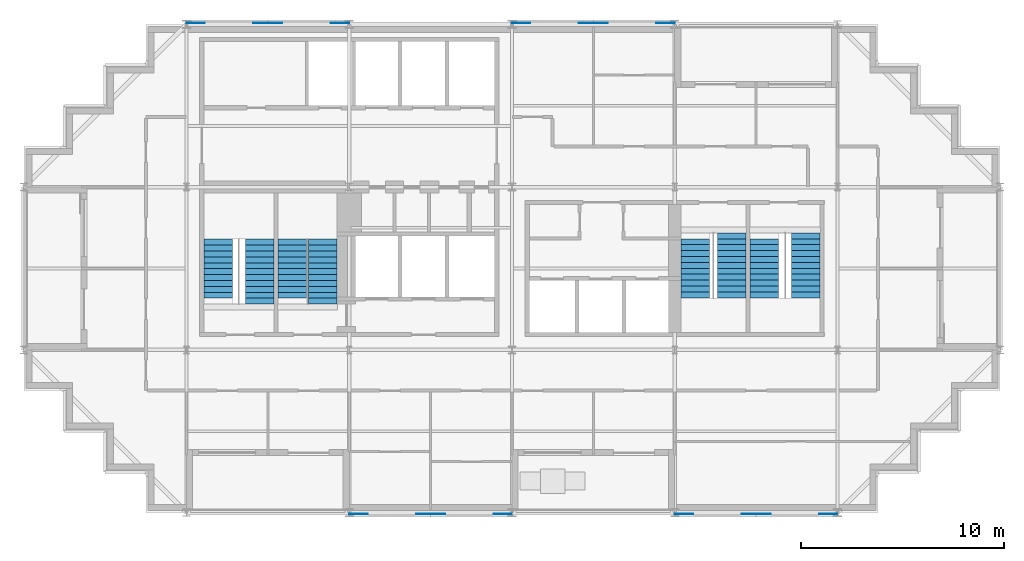
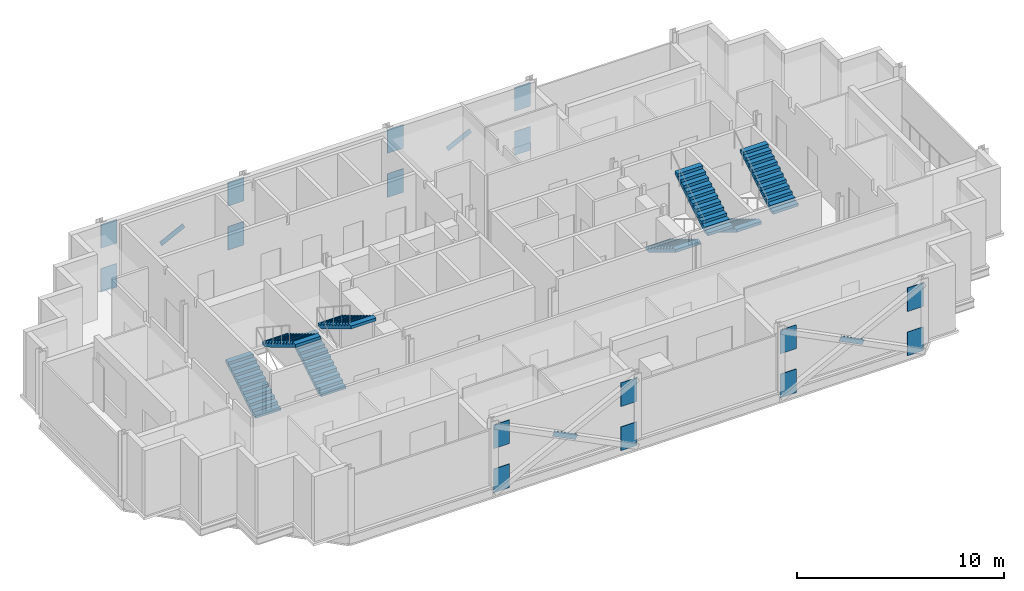
# One storey, part 8 of 10: 20 discrete accessories, 8 stair flights, 4 elements without a shape of their own.
"""IFC4 building model written with IfcOpenShell, lengths in metres."""

from ifc_helpers import new_model, si_unit, direction, frame, origin, origin_2d, place, context, subcontext, project, spatial, polyline, rectangle, outline, extrude, material, material_profile, profile_set, type_object, element, aggregate, save


model = new_model("IFC4")

# Units and contexts
model_context = context("Model", 3, precision=1e-05, world=origin(), true_north=direction((0.0, 1.0)))
body_context = subcontext(model_context, "Body", "Model", "MODEL_VIEW")
ifc_project = project(units=[si_unit("LENGTHUNIT", "METRE"), si_unit("AREAUNIT", "SQUARE_METRE"), si_unit("VOLUMEUNIT", "CUBIC_METRE"), si_unit("PLANEANGLEUNIT", "RADIAN"), si_unit("MASSUNIT", "GRAM", prefix="KILO")], contexts=[model_context])

# Site, building, storey
site_placement = place(None, origin())
site = spatial("IfcSite", under=ifc_project, at=site_placement, CompositionType="ELEMENT")
building_placement = place(site_placement, origin())
building = spatial("IfcBuilding", under=site, at=building_placement, Name="Immortelle Media Tower", CompositionType="ELEMENT")
storey_placement = place(building_placement, frame((0.0, 0.0, 275.0)))
storey = spatial("IfcBuildingStorey", under=building, at=storey_placement, Name="L60", CompositionType="ELEMENT", Elevation=275.0)

# Stair, stair flights
ifc_material_1 = material(Name="Steel ASTM A992 Gr 50", Category="steel")
stair_type = type_object("IfcStairType", Name="Stair with flights", PredefinedType="DOUBLE_RETURN_STAIR", material=ifc_material_1)
stair_1_placement = place(storey_placement, origin())
stair_1 = element("IfcStair", 1, at=stair_1_placement, inside=storey, type_object=stair_type, Name="Exit stair SW1", PredefinedType="DOUBLE_RETURN_STAIR")
stair_flight_type = type_object("IfcStairFlightType", Name="Stair flight 1400", PredefinedType="STRAIGHT", material=ifc_material_1)
stair_flight_1_placement = place(storey_placement, frame((9.550048828125, 10.5400390625, 0.0), z_axis=(0.0, 0.0, 1.0), x_axis=(0.0, 1.0, 0.0)))
stair_flight_1 = element("IfcStairFlight", 2, at=stair_flight_1_placement, type_object=stair_flight_type, Name="ST SW1 flight 1", NumberOfRisers=11, NumberOfTreads=10, PredefinedType="STRAIGHT", RiserHeight=0.173913043, TreadLength=0.29, context=body_context, shape_type="SweptSolid", body=[
    extrude(outline(polyline([(0.0, 0.0), (0.0, 0.173828125), (0.2900390625, 0.173828125), (0.2900390625, 0.347900390625), (0.580078125, 0.347900390625), (0.580078125, 0.521728515625), (0.8701171875, 0.521728515625), (0.8701171875, 0.695556640625), (1.159912109375, 0.695556640625), (1.159912109375, 0.86962890625), (1.449951171875, 0.86962890625), (1.449951171875, 1.04345703125), (1.739990234375, 1.04345703125), (1.739990234375, 1.21728515625), (2.030029296875, 1.21728515625), (2.030029296875, 1.391357421875), (2.320068359375, 1.391357421875), (2.320068359375, 1.565185546875), (2.610107421875, 1.565185546875), (2.610107421875, 1.739013671875), (2.89990234375, 1.739013671875), (2.89990234375, 1.9130859375), (2.89990234375, 1.564453125), (0.29150390625, 0.0), (0.0, 0.0)])), frame((0.0, 0.699951171875, 0.0), z_axis=(0.0, -1.0, 0.0), x_axis=(1.0, 0.0, 0.0)), (0.0, 0.0, 1.0), 1.39990234375),
])
stair_flight_2_placement = place(storey_placement, frame((11.60009765625, 13.43994140625, 1.9130859375), z_axis=(0.0, 0.0, 1.0), x_axis=(0.0, -1.0, 0.0)))
stair_flight_2 = element("IfcStairFlight", 3, at=stair_flight_2_placement, type_object=stair_flight_type, Name="ST SW1 flight 2", NumberOfRisers=12, NumberOfTreads=11, PredefinedType="STRAIGHT", RiserHeight=0.173913043, TreadLength=0.29, context=body_context, shape_type="SweptSolid", body=[
    extrude(outline(polyline([(0.0, 0.0), (0.0, 0.173828125), (0.2900390625, 0.173828125), (0.2900390625, 0.347900390625), (0.580078125, 0.347900390625), (0.580078125, 0.521728515625), (0.8701171875, 0.521728515625), (0.8701171875, 0.695556640625), (1.159912109375, 0.695556640625), (1.159912109375, 0.86962890625), (1.449951171875, 0.86962890625), (1.449951171875, 1.04345703125), (1.739990234375, 1.04345703125), (1.739990234375, 1.21728515625), (2.030029296875, 1.21728515625), (2.030029296875, 1.391357421875), (2.320068359375, 1.391357421875), (2.320068359375, 1.565185546875), (2.610107421875, 1.565185546875), (2.610107421875, 1.739013671875), (2.89990234375, 1.739013671875), (2.89990234375, 1.9130859375), (3.18994140625, 1.9130859375), (3.18994140625, 2.0869140625), (3.18994140625, 1.73828125), (0.29150390625, 0.0), (0.0, 0.0)])), frame((0.0, 0.699951171875, 0.0), z_axis=(0.0, -1.0, 0.0), x_axis=(1.0, 0.0, 0.0)), (0.0, 0.0, 1.0), 1.39990234375),
])
aggregate(stair_1, [stair_flight_1, stair_flight_2])

stair_2_placement = place(storey_placement, origin())
stair_2 = element("IfcStair", 4, at=stair_2_placement, inside=storey, type_object=stair_type, Name="Exit stair SW2", PredefinedType="DOUBLE_RETURN_STAIR")
stair_flight_3_placement = place(storey_placement, frame((13.199951171875, 10.5400390625, 0.0), z_axis=(0.0, 0.0, 1.0), x_axis=(0.0, 1.0, 0.0)))
stair_flight_3 = element("IfcStairFlight", 5, at=stair_flight_3_placement, type_object=stair_flight_type, Name="ST SW2 flight 1", NumberOfRisers=11, NumberOfTreads=10, PredefinedType="STRAIGHT", RiserHeight=0.173913043, TreadLength=0.29, context=body_context, shape_type="SweptSolid", body=[
    extrude(outline(polyline([(0.0, 0.0), (0.0, 0.173828125), (0.2900390625, 0.173828125), (0.2900390625, 0.347900390625), (0.580078125, 0.347900390625), (0.580078125, 0.521728515625), (0.8701171875, 0.521728515625), (0.8701171875, 0.695556640625), (1.159912109375, 0.695556640625), (1.159912109375, 0.86962890625), (1.449951171875, 0.86962890625), (1.449951171875, 1.04345703125), (1.739990234375, 1.04345703125), (1.739990234375, 1.21728515625), (2.030029296875, 1.21728515625), (2.030029296875, 1.391357421875), (2.320068359375, 1.391357421875), (2.320068359375, 1.565185546875), (2.610107421875, 1.565185546875), (2.610107421875, 1.739013671875), (2.89990234375, 1.739013671875), (2.89990234375, 1.9130859375), (2.89990234375, 1.564453125), (0.29150390625, 0.0), (0.0, 0.0)])), frame((0.0, 0.699951171875, 0.0), z_axis=(0.0, -1.0, 0.0), x_axis=(1.0, 0.0, 0.0)), (0.0, 0.0, 1.0), 1.39990234375),
])
stair_flight_4_placement = place(storey_placement, frame((14.699951171875, 13.43994140625, 1.9130859375), z_axis=(0.0, 0.0, 1.0), x_axis=(0.0, -1.0, 0.0)))
stair_flight_4 = element("IfcStairFlight", 6, at=stair_flight_4_placement, type_object=stair_flight_type, Name="ST SW2 flight 2", NumberOfRisers=12, NumberOfTreads=11, PredefinedType="STRAIGHT", RiserHeight=0.173913043, TreadLength=0.29, context=body_context, shape_type="SweptSolid", body=[
    extrude(outline(polyline([(0.0, 0.0), (0.0, 0.173828125), (0.2900390625, 0.173828125), (0.2900390625, 0.347900390625), (0.580078125, 0.347900390625), (0.580078125, 0.521728515625), (0.8701171875, 0.521728515625), (0.8701171875, 0.695556640625), (1.159912109375, 0.695556640625), (1.159912109375, 0.86962890625), (1.449951171875, 0.86962890625), (1.449951171875, 1.04345703125), (1.739990234375, 1.04345703125), (1.739990234375, 1.21728515625), (2.030029296875, 1.21728515625), (2.030029296875, 1.391357421875), (2.320068359375, 1.391357421875), (2.320068359375, 1.565185546875), (2.610107421875, 1.565185546875), (2.610107421875, 1.739013671875), (2.89990234375, 1.739013671875), (2.89990234375, 1.9130859375), (3.18994140625, 1.9130859375), (3.18994140625, 2.0869140625), (3.18994140625, 1.73828125), (0.29150390625, 0.0), (0.0, 0.0)])), frame((0.0, 0.699951171875, 0.0), z_axis=(0.0, -1.0, 0.0), x_axis=(1.0, 0.0, 0.0)), (0.0, 0.0, 1.0), 1.39990234375),
])
aggregate(stair_2, [stair_flight_3, stair_flight_4])

stair_3_placement = place(storey_placement, origin())
stair_3 = element("IfcStair", 7, at=stair_3_placement, inside=storey, type_object=stair_type, Name="Exit stair SE1", PredefinedType="DOUBLE_RETURN_STAIR")
stair_flight_5_placement = place(storey_placement, frame((33.0, 13.4599609375, 0.0), z_axis=(0.0, 0.0, 1.0), x_axis=(0.0, -1.0, 0.0)))
stair_flight_5 = element("IfcStairFlight", 8, at=stair_flight_5_placement, type_object=stair_flight_type, Name="ST SE1 flight 1", NumberOfRisers=11, NumberOfTreads=10, PredefinedType="STRAIGHT", RiserHeight=0.173913043, TreadLength=0.29, context=body_context, shape_type="SweptSolid", body=[
    extrude(outline(polyline([(0.0, 0.0), (0.0, 0.173828125), (0.2900390625, 0.173828125), (0.2900390625, 0.347900390625), (0.580078125, 0.347900390625), (0.580078125, 0.521728515625), (0.8701171875, 0.521728515625), (0.8701171875, 0.695556640625), (1.159912109375, 0.695556640625), (1.159912109375, 0.86962890625), (1.449951171875, 0.86962890625), (1.449951171875, 1.04345703125), (1.739990234375, 1.04345703125), (1.739990234375, 1.21728515625), (2.030029296875, 1.21728515625), (2.030029296875, 1.391357421875), (2.320068359375, 1.391357421875), (2.320068359375, 1.565185546875), (2.610107421875, 1.565185546875), (2.610107421875, 1.739013671875), (2.89990234375, 1.739013671875), (2.89990234375, 1.9130859375), (2.89990234375, 1.564453125), (0.29150390625, 0.0), (0.0, 0.0)])), frame((0.0, 0.699951171875, 0.0), z_axis=(0.0, -1.0, 0.0), x_axis=(1.0, 0.0, 0.0)), (0.0, 0.0, 1.0), 1.39990234375),
])
stair_flight_6_placement = place(storey_placement, frame((34.800048828125, 10.56005859375, 1.9130859375), z_axis=(0.0, 0.0, 1.0), x_axis=(0.0, 1.0, 0.0)))
stair_flight_6 = element("IfcStairFlight", 9, at=stair_flight_6_placement, type_object=stair_flight_type, Name="ST SE1 flight 2", NumberOfRisers=12, NumberOfTreads=11, PredefinedType="STRAIGHT", RiserHeight=0.173913043, TreadLength=0.29, context=body_context, shape_type="SweptSolid", body=[
    extrude(outline(polyline([(0.0, 0.0), (0.0, 0.173828125), (0.2900390625, 0.173828125), (0.2900390625, 0.347900390625), (0.580078125, 0.347900390625), (0.580078125, 0.521728515625), (0.8701171875, 0.521728515625), (0.8701171875, 0.695556640625), (1.159912109375, 0.695556640625), (1.159912109375, 0.86962890625), (1.449951171875, 0.86962890625), (1.449951171875, 1.04345703125), (1.739990234375, 1.04345703125), (1.739990234375, 1.21728515625), (2.030029296875, 1.21728515625), (2.030029296875, 1.391357421875), (2.320068359375, 1.391357421875), (2.320068359375, 1.565185546875), (2.610107421875, 1.565185546875), (2.610107421875, 1.739013671875), (2.89990234375, 1.739013671875), (2.89990234375, 1.9130859375), (3.18994140625, 1.9130859375), (3.18994140625, 2.0869140625), (3.18994140625, 1.73828125), (0.29150390625, 0.0), (0.0, 0.0)])), frame((0.0, 0.699951171875, 0.0), z_axis=(0.0, -1.0, 0.0), x_axis=(1.0, 0.0, 0.0)), (0.0, 0.0, 1.0), 1.39990234375),
])
aggregate(stair_3, [stair_flight_5, stair_flight_6])

stair_4_placement = place(storey_placement, origin())
stair_4 = element("IfcStair", 10, at=stair_4_placement, inside=storey, type_object=stair_type, Name="Exit stair SE2", PredefinedType="DOUBLE_RETURN_STAIR")
stair_flight_7_placement = place(storey_placement, frame((36.39990234375, 13.4599609375, 0.0), z_axis=(0.0, 0.0, 1.0), x_axis=(0.0, -1.0, 0.0)))
stair_flight_7 = element("IfcStairFlight", 11, at=stair_flight_7_placement, type_object=stair_flight_type, Name="ST SE2 flight 1", NumberOfRisers=11, NumberOfTreads=10, PredefinedType="STRAIGHT", RiserHeight=0.173913043, TreadLength=0.29, context=body_context, shape_type="SweptSolid", body=[
    extrude(outline(polyline([(0.0, 0.0), (0.0, 0.173828125), (0.2900390625, 0.173828125), (0.2900390625, 0.347900390625), (0.580078125, 0.347900390625), (0.580078125, 0.521728515625), (0.8701171875, 0.521728515625), (0.8701171875, 0.695556640625), (1.159912109375, 0.695556640625), (1.159912109375, 0.86962890625), (1.449951171875, 0.86962890625), (1.449951171875, 1.04345703125), (1.739990234375, 1.04345703125), (1.739990234375, 1.21728515625), (2.030029296875, 1.21728515625), (2.030029296875, 1.391357421875), (2.320068359375, 1.391357421875), (2.320068359375, 1.565185546875), (2.610107421875, 1.565185546875), (2.610107421875, 1.739013671875), (2.89990234375, 1.739013671875), (2.89990234375, 1.9130859375), (2.89990234375, 1.564453125), (0.29150390625, 0.0), (0.0, 0.0)])), frame((0.0, 0.699951171875, 0.0), z_axis=(0.0, -1.0, 0.0), x_axis=(1.0, 0.0, 0.0)), (0.0, 0.0, 1.0), 1.39990234375),
])
stair_flight_8_placement = place(storey_placement, frame((38.449951171875, 10.56005859375, 1.9130859375), z_axis=(0.0, 0.0, 1.0), x_axis=(0.0, 1.0, 0.0)))
stair_flight_8 = element("IfcStairFlight", 12, at=stair_flight_8_placement, type_object=stair_flight_type, Name="ST SE2 flight 2", NumberOfRisers=12, NumberOfTreads=11, PredefinedType="STRAIGHT", RiserHeight=0.173913043, TreadLength=0.29, context=body_context, shape_type="SweptSolid", body=[
    extrude(outline(polyline([(0.0, 0.0), (0.0, 0.173828125), (0.2900390625, 0.173828125), (0.2900390625, 0.347900390625), (0.580078125, 0.347900390625), (0.580078125, 0.521728515625), (0.8701171875, 0.521728515625), (0.8701171875, 0.695556640625), (1.159912109375, 0.695556640625), (1.159912109375, 0.86962890625), (1.449951171875, 0.86962890625), (1.449951171875, 1.04345703125), (1.739990234375, 1.04345703125), (1.739990234375, 1.21728515625), (2.030029296875, 1.21728515625), (2.030029296875, 1.391357421875), (2.320068359375, 1.391357421875), (2.320068359375, 1.565185546875), (2.610107421875, 1.565185546875), (2.610107421875, 1.739013671875), (2.89990234375, 1.739013671875), (2.89990234375, 1.9130859375), (3.18994140625, 1.9130859375), (3.18994140625, 2.0869140625), (3.18994140625, 1.73828125), (0.29150390625, 0.0), (0.0, 0.0)])), frame((0.0, 0.699951171875, 0.0), z_axis=(0.0, -1.0, 0.0), x_axis=(1.0, 0.0, 0.0)), (0.0, 0.0, 1.0), 1.39990234375),
])
aggregate(stair_4, [stair_flight_7, stair_flight_8])

# Discrete accessories
ifc_material_2 = material(Name="Steel ASTM A572 Gr 50", Category="steel")
ifc_material_profile_1 = material_profile(ifc_material_2, rectangle(XDim=0.02001953125, YDim=0.304931640625, at=origin_2d()), Name="PL 20 x 305")
ifc_profile_set_1 = profile_set([ifc_material_profile_1], Name="Steel ASTM A572 Gr 50")
discrete_accessory_type_1 = type_object("IfcDiscreteAccessoryType", Name="Crossing plate XP-BR7 1450 x 305 x 20", PredefinedType="USERDEFINED", material=ifc_profile_set_1)
for number, where, z_axis, x_axis, name in (
    (13, (28.6484375, 24.0625, 1.873291015625), (-0.894427191, 0.0, -0.4472135955), (0.0, -1.0, 0.0), "Crossing plate XP-BR7 of Brace D/4-5 A and Brace D/4-5 B"),
    (14, (12.6484375, 24.0625, 1.873291015625), (-0.894427191, 0.0, -0.4472135955), (0.0, -1.0, 0.0), "Crossing plate XP-BR7 of Brace D/2-3 A and Brace D/2-3 B"),
    (15, (19.3515625, -0.0625, 1.873291015625), (0.894427191, 0.0, -0.4472135955), (0.0, 1.0, 0.0), "Crossing plate XP-BR7 of Brace A/3-4 A and Brace A/3-4 B"),
    (16, (35.3515625, -0.0625, 1.873291015625), (0.894427191, 0.0, -0.4472135955), (0.0, 1.0, 0.0), "Crossing plate XP-BR7 of Brace A/5-6 A and Brace A/5-6 B"),
):
    element("IfcDiscreteAccessory", number, at=place(storey_placement, frame(where, z_axis=z_axis, x_axis=x_axis)), inside=storey, type_object=discrete_accessory_type_1, Name=name, ObjectType="CROSSING PLATE", PredefinedType="USERDEFINED", context=body_context, shape_type="SweptSolid", body=[
        extrude(rectangle(XDim=0.02001953125, YDim=0.304931640625, at=origin_2d()), origin(), (0.0, 0.0, 1.0), 1.449951171875),
    ])
ifc_material_profile_2 = material_profile(ifc_material_2, rectangle(XDim=0.031982421875, YDim=1.39990234375, at=origin_2d()), Name="PL 32 x 1400")
ifc_profile_set_2 = profile_set([ifc_material_profile_2], Name="Steel ASTM A572 Gr 50")
discrete_accessory_type_2 = type_object("IfcDiscreteAccessoryType", Name="Gusset plate GP1 900 x 1400 x 32", PredefinedType="USERDEFINED", material=ifc_profile_set_2)
for number, where, z_axis, x_axis, name in (
    (17, (16.0, -0.0625, 0.2490234375), (1.0, 0.0, 0.0), (0.0, 1.0, 0.0), "Gusset plate GP1, lower end of Brace A/3-4 A"),
    (18, (24.0, -0.0625, 2.84912109375), (-1.0, 0.0, 0.0), (0.0, -1.0, 0.0), "Gusset plate GP1, upper end of Brace A/3-4 A"),
    (19, (24.0, -0.0625, 0.2490234375), (-1.0, 0.0, 0.0), (0.0, -1.0, 0.0), "Gusset plate GP1, lower end of Brace A/3-4 B"),
    (20, (16.0, -0.0625, 2.84912109375), (1.0, 0.0, 0.0), (0.0, 1.0, 0.0), "Gusset plate GP1, upper end of Brace A/3-4 B"),
    (21, (32.0, -0.0625, 0.2490234375), (1.0, 0.0, 0.0), (0.0, 1.0, 0.0), "Gusset plate GP1, lower end of Brace A/5-6 A"),
    (22, (40.0, -0.0625, 2.84912109375), (-1.0, 0.0, 0.0), (0.0, -1.0, 0.0), "Gusset plate GP1, upper end of Brace A/5-6 A"),
    (23, (40.0, -0.0625, 0.2490234375), (-1.0, 0.0, 0.0), (0.0, -1.0, 0.0), "Gusset plate GP1, lower end of Brace A/5-6 B"),
    (24, (32.0, -0.0625, 2.84912109375), (1.0, 0.0, 0.0), (0.0, 1.0, 0.0), "Gusset plate GP1, upper end of Brace A/5-6 B"),
    (25, (32.0, 24.0625, 0.2490234375), (-1.0, 0.0, 0.0), (0.0, -1.0, 0.0), "Gusset plate GP1, lower end of Brace D/4-5 A"),
    (26, (24.0, 24.0625, 2.84912109375), (1.0, 0.0, 0.0), (0.0, 1.0, 0.0), "Gusset plate GP1, upper end of Brace D/4-5 A"),
    (27, (24.0, 24.0625, 0.2490234375), (1.0, 0.0, 0.0), (0.0, 1.0, 0.0), "Gusset plate GP1, lower end of Brace D/4-5 B"),
    (28, (32.0, 24.0625, 2.84912109375), (-1.0, 0.0, 0.0), (0.0, -1.0, 0.0), "Gusset plate GP1, upper end of Brace D/4-5 B"),
    (29, (16.0, 24.0625, 0.2490234375), (-1.0, 0.0, 0.0), (0.0, -1.0, 0.0), "Gusset plate GP1, lower end of Brace D/2-3 A"),
    (30, (8.0, 24.0625, 2.84912109375), (1.0, 0.0, 0.0), (0.0, 1.0, 0.0), "Gusset plate GP1, upper end of Brace D/2-3 A"),
    (31, (8.0, 24.0625, 0.2490234375), (1.0, 0.0, 0.0), (0.0, 1.0, 0.0), "Gusset plate GP1, lower end of Brace D/2-3 B"),
    (32, (16.0, 24.0625, 2.84912109375), (-1.0, 0.0, 0.0), (0.0, -1.0, 0.0), "Gusset plate GP1, upper end of Brace D/2-3 B"),
):
    element("IfcDiscreteAccessory", number, at=place(storey_placement, frame(where, z_axis=z_axis, x_axis=x_axis)), inside=storey, type_object=discrete_accessory_type_2, Name=name, ObjectType="GUSSET PLATE", PredefinedType="USERDEFINED", context=body_context, shape_type="SweptSolid", body=[
        extrude(rectangle(XDim=0.031982421875, YDim=1.39990234375, at=origin_2d()), origin(), (0.0, 0.0, 1.0), 0.89990234375),
    ])

save(model, "model.ifc")
